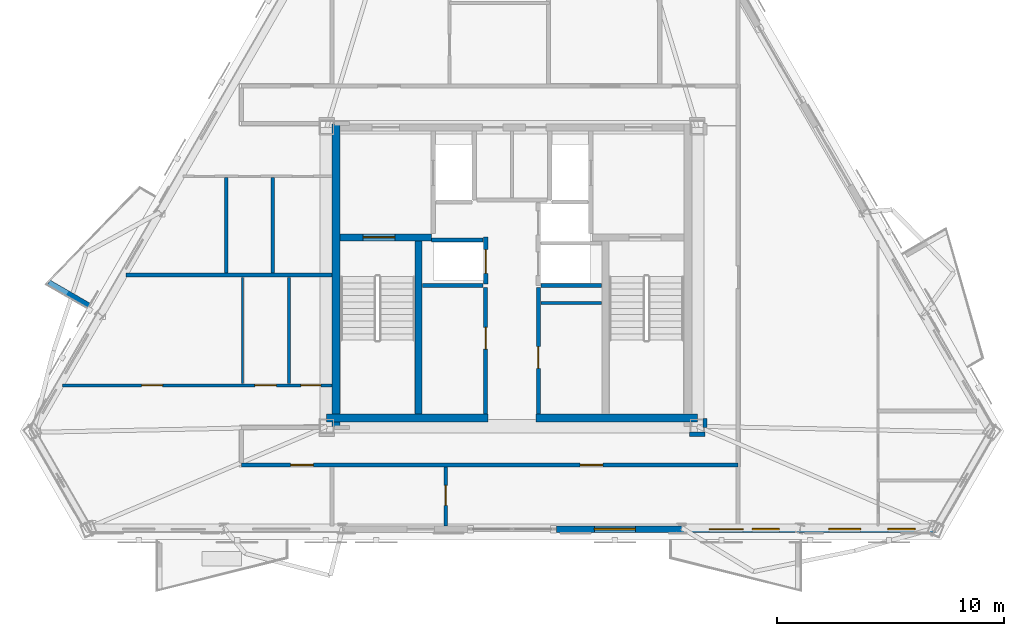
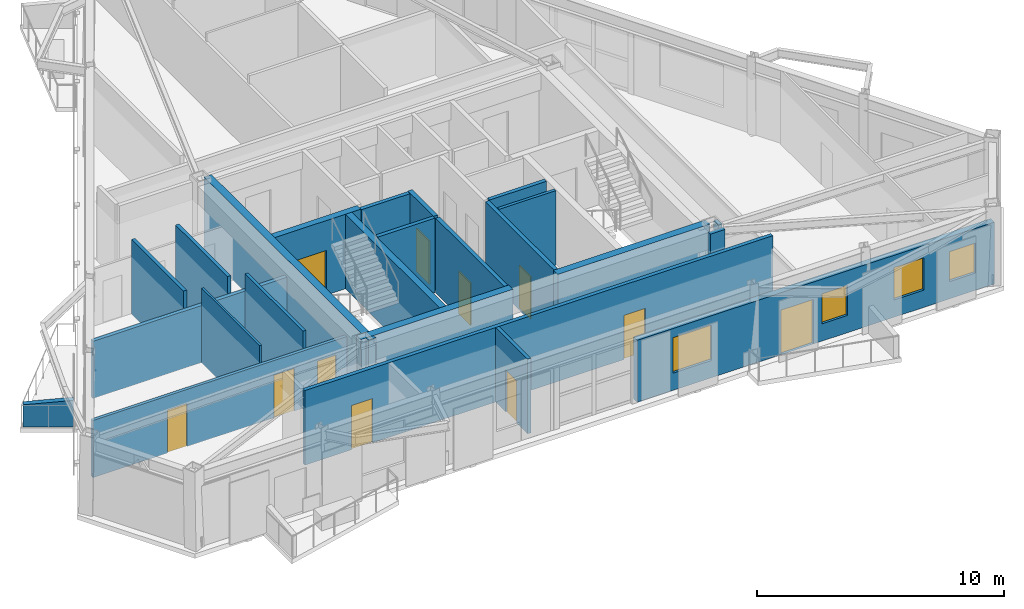
# One storey, part 8 of 15: 24 walls, 11 doors, 4 windows, 15 openings.
"""IFC4 building model written with IfcOpenShell, lengths in metres."""

from ifc_helpers import new_model, si_unit, direction, frame, frame_2d, origin, place, context, subcontext, project, spatial, polyline, rectangle, outline, extrude, material, layer, layer_set, type_object, element, fill, save


model = new_model("IFC4")

# Units and contexts
model_context = context("Model", 3, precision=1e-05, world=origin(), true_north=direction((0.0, 1.0)))
body_context = subcontext(model_context, "Body", "Model", "MODEL_VIEW")
ifc_project = project(units=[si_unit("LENGTHUNIT", "METRE"), si_unit("AREAUNIT", "SQUARE_METRE"), si_unit("VOLUMEUNIT", "CUBIC_METRE"), si_unit("PLANEANGLEUNIT", "RADIAN"), si_unit("MASSUNIT", "GRAM", prefix="KILO")], contexts=[model_context])

# Site, building, storey
site_placement = place(None, origin())
site = spatial("IfcSite", under=ifc_project, at=site_placement, CompositionType="ELEMENT")
building_placement = place(site_placement, origin())
building = spatial("IfcBuilding", under=site, at=building_placement, Name="Oramaril Tower", CompositionType="ELEMENT")
storey_placement = place(building_placement, frame((0.0, 0.0, 265.5)))
storey = spatial("IfcBuildingStorey", under=building, at=storey_placement, Name="L70", CompositionType="ELEMENT", Elevation=265.5)

# Wall, openings, door, windows
ifc_material_1 = material(Name="Warm Cream Limestone", Category="masonry")
ifc_layer_1 = layer(ifc_material_1, 0.2900390625)
ifc_layer_set_1 = layer_set([ifc_layer_1], Name="WT-EXT29")
wall_type_1 = type_object("IfcWallType", Name="WT-EXT29", PredefinedType="SOLIDWALL", material=ifc_layer_set_1)
wall_1_placement = place(storey_placement, frame((39.449951171875, 6.474853515625, 0.0), z_axis=(0.0, 0.0, 1.0), x_axis=(1.0, 0.0, 0.0)))
wall_1 = element("IfcWall", 1, at=wall_1_placement, inside=storey, type_object=wall_type_1, Name="L70 Tower Limestone Facade Wall 2R", PredefinedType="SOLIDWALL", context=body_context, shape_type="SweptSolid", body=[
    extrude(rectangle(XDim=16.674072265625, YDim=0.2900390625, at=frame_2d((8.3369140625, 0.0))), origin(), (0.0, 0.0, 1.0), 3.05810546875),
])
opening_1_placement = place(wall_1_placement, frame((6.7197265625, 0.0, 0.0)))
opening_1 = element("IfcOpeningElement", 2, at=opening_1_placement, cuts=wall_1, Name="Opening D-L70-BAL-S2", PredefinedType="OPENING", context=body_context, shape_type="SweptSolid", body=[
    extrude(rectangle(XDim=1.5, YDim=2.199951171875, at=frame_2d((0.75, 1.10009765625))), frame((0.0, 0.14501953125, 0.0), z_axis=(0.0, -1.0, 0.0), x_axis=(1.0, 0.0, 0.0)), (0.0, 0.0, 1.0), 0.2900390625),
])
opening_2_placement = place(wall_1_placement, frame((1.675537109375, 0.0, 0.85009765625)))
opening_2 = element("IfcOpeningElement", 3, at=opening_2_placement, cuts=wall_1, Name="Opening WN-06", PredefinedType="OPENING", context=body_context, shape_type="SweptSolid", body=[
    extrude(rectangle(XDim=1.800048828125, YDim=1.75, at=frame_2d((0.89990234375, 0.875))), frame((0.0, 0.14501953125, 0.0), z_axis=(0.0, -1.0, 0.0), x_axis=(1.0, 0.0, 0.0)), (0.0, 0.0, 1.0), 0.2900390625),
])
opening_3_placement = place(wall_1_placement, frame((8.61669921875, 0.0, 0.85009765625)))
opening_3 = element("IfcOpeningElement", 4, at=opening_3_placement, cuts=wall_1, Name="Opening WN-09", PredefinedType="OPENING", context=body_context, shape_type="SweptSolid", body=[
    extrude(rectangle(XDim=1.199951171875, YDim=1.47998046875, at=frame_2d((0.60009765625, 0.739990234375))), frame((0.0, 0.14501953125, 0.0), z_axis=(0.0, -1.0, 0.0), x_axis=(1.0, 0.0, 0.0)), (0.0, 0.0, 1.0), 0.2900390625),
])
opening_4_placement = place(wall_1_placement, frame((11.98388671875, 0.0, 0.85009765625)))
opening_4 = element("IfcOpeningElement", 5, at=opening_4_placement, cuts=wall_1, Name="Opening WN-08", PredefinedType="OPENING", context=body_context, shape_type="SweptSolid", body=[
    extrude(rectangle(XDim=1.39990234375, YDim=1.60009765625, at=frame_2d((0.699951171875, 0.800048828125))), frame((0.0, 0.14501953125, 0.0), z_axis=(0.0, -1.0, 0.0), x_axis=(1.0, 0.0, 0.0)), (0.0, 0.0, 1.0), 0.2900390625),
])
opening_5_placement = place(wall_1_placement, frame((14.57958984375, 0.0, 0.85009765625)))
opening_5 = element("IfcOpeningElement", 6, at=opening_5_placement, cuts=wall_1, Name="Opening WN-09", PredefinedType="OPENING", context=body_context, shape_type="SweptSolid", body=[
    extrude(rectangle(XDim=1.199951171875, YDim=1.47998046875, at=frame_2d((0.60009765625, 0.739990234375))), frame((0.0, 0.14501953125, 0.0), z_axis=(0.0, -1.0, 0.0), x_axis=(1.0, 0.0, 0.0)), (0.0, 0.0, 1.0), 0.2900390625),
])
ifc_material_2 = material(Name="Anodised Aluminium 6063-T6", Category="aluminium")
door_type_1 = type_object("IfcDoorType", Name="DT-BAL", OperationType="NOTDEFINED", PredefinedType="DOOR", material=ifc_material_2)
door_1_placement = place(opening_1_placement, origin())
door_1 = element("IfcDoor", 7, at=door_1_placement, inside=storey, type_object=door_type_1, Name="L70 Balcony Glazed Door L70-BAL-S2", OperationType="SINGLE_SWING_RIGHT", OverallHeight=2.199951171875, OverallWidth=1.5, PredefinedType="DOOR", context=body_context, shape_type="SweptSolid", body=[
    extrude(rectangle(XDim=1.5, YDim=2.199951171875, at=frame_2d((0.75, 1.10009765625))), frame((0.0, 0.02490234375, 0.0), z_axis=(0.0, -1.0, 0.0), x_axis=(1.0, 0.0, 0.0)), (0.0, 0.0, 1.0), 0.050048828125),
])
fill(opening_1, door_1)
ifc_material_3 = material(Name="Coastal Low-E Insulated Glass", Category="glass")
window_type_1 = type_object("IfcWindowType", Name="WNT-06", PartitioningType="SINGLE_PANEL", PredefinedType="WINDOW", material=ifc_material_3)
window_1_placement = place(opening_2_placement, origin())
window_1 = element("IfcWindow", 8, at=window_1_placement, inside=storey, type_object=window_type_1, Name="L70 Chicago Bay Window WN-06", OverallHeight=1.75, OverallWidth=1.800048828125, PartitioningType="SINGLE_PANEL", PredefinedType="WINDOW", context=body_context, shape_type="SweptSolid", body=[
    extrude(rectangle(XDim=1.800048828125, YDim=1.75, at=frame_2d((0.89990234375, 0.875))), frame((0.0, 0.030029296875, 0.0), z_axis=(0.0, -1.0, 0.0), x_axis=(1.0, 0.0, 0.0)), (0.0, 0.0, 1.0), 0.06005859375),
])
fill(opening_2, window_1)
ifc_material_4 = material(Name="Coastal Low-E Insulated Glass", Category="glass")
window_type_2 = type_object("IfcWindowType", Name="WNT-08", PartitioningType="SINGLE_PANEL", PredefinedType="WINDOW", material=ifc_material_4)
window_2_placement = place(opening_4_placement, origin())
window_2 = element("IfcWindow", 9, at=window_2_placement, inside=storey, type_object=window_type_2, Name="L70 Chicago Bay Window WN-08", OverallHeight=1.60009765625, OverallWidth=1.39990234375, PartitioningType="SINGLE_PANEL", PredefinedType="WINDOW", context=body_context, shape_type="SweptSolid", body=[
    extrude(rectangle(XDim=1.39990234375, YDim=1.60009765625, at=frame_2d((0.699951171875, 0.800048828125))), frame((0.0, 0.030029296875, 0.0), z_axis=(0.0, -1.0, 0.0), x_axis=(1.0, 0.0, 0.0)), (0.0, 0.0, 1.0), 0.06005859375),
])
fill(opening_4, window_2)
ifc_material_5 = material(Name="Coastal Low-E Insulated Glass", Category="glass")
window_type_3 = type_object("IfcWindowType", Name="WNT-09", PartitioningType="SINGLE_PANEL", PredefinedType="WINDOW", material=ifc_material_5)
window_3_placement = place(opening_3_placement, origin())
window_3 = element("IfcWindow", 10, at=window_3_placement, inside=storey, type_object=window_type_3, Name="L70 Chicago Bay Window WN-09", OverallHeight=1.47998046875, OverallWidth=1.199951171875, PartitioningType="SINGLE_PANEL", PredefinedType="WINDOW", context=body_context, shape_type="SweptSolid", body=[
    extrude(rectangle(XDim=1.199951171875, YDim=1.47998046875, at=frame_2d((0.60009765625, 0.739990234375))), frame((0.0, 0.030029296875, 0.0), z_axis=(0.0, -1.0, 0.0), x_axis=(1.0, 0.0, 0.0)), (0.0, 0.0, 1.0), 0.06005859375),
])
fill(opening_3, window_3)
window_4_placement = place(opening_5_placement, origin())
window_4 = element("IfcWindow", 11, at=window_4_placement, inside=storey, type_object=window_type_3, Name="L70 Chicago Bay Window WN-09", OverallHeight=1.47998046875, OverallWidth=1.199951171875, PartitioningType="SINGLE_PANEL", PredefinedType="WINDOW", context=body_context, shape_type="SweptSolid", body=[
    extrude(rectangle(XDim=1.199951171875, YDim=1.47998046875, at=frame_2d((0.60009765625, 0.739990234375))), frame((0.0, 0.030029296875, 0.0), z_axis=(0.0, -1.0, 0.0), x_axis=(1.0, 0.0, 0.0)), (0.0, 0.0, 1.0), 0.06005859375),
])
fill(opening_5, window_4)

# Walls
ifc_material_6 = material(Name="Concrete C40/50", Category="concrete")
ifc_layer_2 = layer(ifc_material_6, 0.22998046875)
ifc_layer_set_2 = layer_set([ifc_layer_2], Name="WT-PRP23")
wall_type_2 = type_object("IfcWallType", Name="WT-PRP23", PredefinedType="PARAPET", material=ifc_layer_set_2)
wall_2_placement = place(storey_placement, frame((18.889892578125, 16.31298828125, 0.0), z_axis=(0.0, 0.0, 1.0), x_axis=(-0.866012356593, 0.500022597718, 0.0)))
element("IfcWall", 12, at=wall_2_placement, inside=storey, type_object=wall_type_2, Name="L70 Trapezoidal Balcony Frame Cheek L70-BAL-NW2-R", PredefinedType="PARAPET", context=body_context, shape_type="SweptSolid", body=[
    extrude(outline(polyline([(0.0, 0.0), (2.0419921875, 0.0), (2.0419921875, 1.10009765625), (0.0, 1.320068359375), (0.0, 0.0)])), frame((0.0, 0.114990234375, 0.0), z_axis=(0.0, -1.0, 0.0), x_axis=(1.0, 0.0, 0.0)), (0.0, 0.0, 1.0), 0.22998046875),
])
ifc_material_7 = material(Name="Acoustic Gypsum Board Partition")
ifc_layer_3 = layer(ifc_material_7, 0.10009765625)
ifc_layer_set_3 = layer_set([ifc_layer_3], Name="WT-PT10")
wall_type_3 = type_object("IfcWallType", Name="WT-PT10", PredefinedType="PARTITIONING", material=ifc_layer_set_3)
wall_3_placement = place(storey_placement, frame((25.639892578125, 12.8740234375, 0.0), z_axis=(0.0, 0.0, 1.0), x_axis=(0.0, 1.0, 0.0)))
element("IfcWall", 13, at=wall_3_placement, inside=storey, type_object=wall_type_3, Name="L70 Interior Partition PT-10", PredefinedType="PARTITIONING", context=body_context, shape_type="SweptSolid", body=[
    extrude(rectangle(XDim=4.681884765625, YDim=0.10009765625, at=frame_2d((2.3408203125, 0.0))), origin(), (0.0, 0.0, 1.0), 3.679931640625),
])
ifc_material_8 = material(Name="Acoustic Gypsum Board Partition")
ifc_layer_4 = layer(ifc_material_8, 0.139892578125)
ifc_layer_set_4 = layer_set([ifc_layer_4], Name="WT-PT14")
wall_type_4 = type_object("IfcWallType", Name="WT-PT14", PredefinedType="PARTITIONING", material=ifc_layer_set_4)
wall_4_placement = place(storey_placement, frame((38.780029296875, 16.419921875, 0.0), z_axis=(0.0, 0.0, 1.0), x_axis=(1.0, 0.0, 0.0)))
element("IfcWall", 14, at=wall_4_placement, inside=storey, type_object=wall_type_4, Name="L70 Freed Shaft North Closure", PredefinedType="PARTITIONING", context=body_context, shape_type="SweptSolid", body=[
    extrude(rectangle(XDim=2.659912109375, YDim=0.139892578125, at=frame_2d((1.330078125, 0.0))), origin(), (0.0, 0.0, 1.0), 3.679931640625),
])

# Wall, openings, doors
wall_5_placement = place(storey_placement, frame((17.724365234375, 12.800048828125, 0.0), z_axis=(0.0, 0.0, 1.0), x_axis=(1.0, 0.0, 0.0)))
wall_5 = element("IfcWall", 15, at=wall_5_placement, inside=storey, type_object=wall_type_4, Name="L70 Interior Partition PT-14", PredefinedType="PARTITIONING", context=body_context, shape_type="SweptSolid", body=[
    extrude(rectangle(XDim=11.861572265625, YDim=0.139892578125, at=frame_2d((5.9306640625, 0.0))), origin(), (0.0, 0.0, 1.0), 2.820068359375),
])
opening_6_placement = place(wall_5_placement, frame((3.483154296875, 0.0, 0.0)))
opening_6 = element("IfcOpeningElement", 16, at=opening_6_placement, cuts=wall_5, Name="Opening D-L70-03", PredefinedType="OPENING", context=body_context, shape_type="SweptSolid", body=[
    extrude(rectangle(XDim=0.919921875, YDim=2.1201171875, at=frame_2d((0.4599609375, 1.06005859375))), frame((0.0, 0.06982421875, 0.0), z_axis=(0.0, -1.0, 0.0), x_axis=(1.0, 0.0, 0.0)), (0.0, 0.0, 1.0), 0.139892578125),
])
opening_7_placement = place(wall_5_placement, frame((8.465576171875, 0.0, 0.0)))
opening_7 = element("IfcOpeningElement", 17, at=opening_7_placement, cuts=wall_5, Name="Opening D-L70-04", PredefinedType="OPENING", context=body_context, shape_type="SweptSolid", body=[
    extrude(rectangle(XDim=0.949951171875, YDim=2.10009765625, at=frame_2d((0.47509765625, 1.050048828125))), frame((0.0, 0.06982421875, 0.0), z_axis=(0.0, -1.0, 0.0), x_axis=(1.0, 0.0, 0.0)), (0.0, 0.0, 1.0), 0.139892578125),
])
opening_8_placement = place(wall_5_placement, frame((10.485595703125, 0.0, 0.0)))
opening_8 = element("IfcOpeningElement", 18, at=opening_8_placement, cuts=wall_5, Name="Opening D-L70-05", PredefinedType="OPENING", context=body_context, shape_type="SweptSolid", body=[
    extrude(rectangle(XDim=0.8798828125, YDim=2.080078125, at=frame_2d((0.43994140625, 1.0400390625))), frame((0.0, 0.06982421875, 0.0), z_axis=(0.0, -1.0, 0.0), x_axis=(1.0, 0.0, 0.0)), (0.0, 0.0, 1.0), 0.139892578125),
])
ifc_material_9 = material(Name="FSC Brazilian Freijo Hardwood", Category="wood")
door_type_2 = type_object("IfcDoorType", Name="DT-BATH", OperationType="NOTDEFINED", PredefinedType="DOOR", material=ifc_material_9)
door_2_placement = place(opening_8_placement, origin())
door_2 = element("IfcDoor", 19, at=door_2_placement, inside=storey, type_object=door_type_2, Name="L70 Flat L70-U2 Bathroom Door D-L70-05", OperationType="SINGLE_SWING_RIGHT", OverallHeight=2.080078125, OverallWidth=0.8798828125, PredefinedType="DOOR", context=body_context, shape_type="SweptSolid", body=[
    extrude(rectangle(XDim=0.8798828125, YDim=2.080078125, at=frame_2d((0.43994140625, 1.0400390625))), frame((0.0, 0.02490234375, 0.0), z_axis=(0.0, -1.0, 0.0), x_axis=(1.0, 0.0, 0.0)), (0.0, 0.0, 1.0), 0.050048828125),
])
fill(opening_8, door_2)
ifc_material_10 = material(Name="FSC Brazilian Freijo Hardwood", Category="wood")
door_type_3 = type_object("IfcDoorType", Name="DT-BED", OperationType="NOTDEFINED", PredefinedType="DOOR", material=ifc_material_10)
door_3_placement = place(opening_6_placement, origin())
door_3 = element("IfcDoor", 20, at=door_3_placement, inside=storey, type_object=door_type_3, Name="L70 Flat L70-U2 Master Bedroom Door D-L70-03", OperationType="SINGLE_SWING_RIGHT", OverallHeight=2.1201171875, OverallWidth=0.919921875, PredefinedType="DOOR", context=body_context, shape_type="SweptSolid", body=[
    extrude(rectangle(XDim=0.919921875, YDim=2.1201171875, at=frame_2d((0.4599609375, 1.06005859375))), frame((0.0, 0.02490234375, 0.0), z_axis=(0.0, -1.0, 0.0), x_axis=(1.0, 0.0, 0.0)), (0.0, 0.0, 1.0), 0.050048828125),
])
fill(opening_6, door_3)
ifc_material_11 = material(Name="FSC Brazilian Freijo Hardwood", Category="wood")
door_type_4 = type_object("IfcDoorType", Name="DT-STDY", OperationType="NOTDEFINED", PredefinedType="DOOR", material=ifc_material_11)
door_4_placement = place(opening_7_placement, origin())
door_4 = element("IfcDoor", 21, at=door_4_placement, inside=storey, type_object=door_type_4, Name="L70 Flat L70-U2 Kitchen Door D-L70-04", OperationType="SINGLE_SWING_LEFT", OverallHeight=2.10009765625, OverallWidth=0.949951171875, PredefinedType="DOOR", context=body_context, shape_type="SweptSolid", body=[
    extrude(rectangle(XDim=0.949951171875, YDim=2.10009765625, at=frame_2d((0.47509765625, 1.050048828125))), frame((0.0, 0.02490234375, 0.0), z_axis=(0.0, -1.0, 0.0), x_axis=(1.0, 0.0, 0.0)), (0.0, 0.0, 1.0), 0.050048828125),
])
fill(opening_7, door_4)

# Walls
wall_6_placement = place(storey_placement, frame((27.68994140625, 12.8740234375, 0.0), z_axis=(0.0, 0.0, 1.0), x_axis=(0.0, 1.0, 0.0)))
element("IfcWall", 22, at=wall_6_placement, inside=storey, type_object=wall_type_4, Name="L70 Interior Partition PT-14", PredefinedType="PARTITIONING", context=body_context, shape_type="SweptSolid", body=[
    extrude(rectangle(XDim=4.681884765625, YDim=0.139892578125, at=frame_2d((2.3408203125, 0.0))), origin(), (0.0, 0.0, 1.0), 3.679931640625),
])
ifc_material_12 = material(Name="Acoustic Gypsum Board Partition")
ifc_layer_5 = layer(ifc_material_12, 0.159912109375)
ifc_layer_set_5 = layer_set([ifc_layer_5], Name="WT-PT16")
wall_type_5 = type_object("IfcWallType", Name="WT-PT16", PredefinedType="PARTITIONING", material=ifc_layer_set_5)
for number, where, z_axis, x_axis, name in (
    (23, (24.929931640625, 17.743896484375, 0.0), (0.0, 0.0, 1.0), (0.0, 1.0, 0.0), "L70 Interior Partition PT-16"),
    (24, (26.97998046875, 17.743896484375, 0.0), (0.0, 0.0, 1.0), (0.0, 1.0, 0.0), "L70 Interior Partition PT-16"),
):
    element("IfcWall", number, at=place(storey_placement, frame(where, z_axis=z_axis, x_axis=x_axis)), inside=storey, type_object=wall_type_5, Name=name, PredefinedType="PARTITIONING", context=body_context, shape_type="SweptSolid", body=[
        extrude(rectangle(XDim=4.2021484375, YDim=0.159912109375, at=frame_2d((2.10107421875, 0.0))), origin(), (0.0, 0.0, 1.0), 3.679931640625),
    ])

# Wall, opening, door
wall_7_placement = place(storey_placement, frame((34.580078125, 6.623779296875, 0.0), z_axis=(0.0, 0.0, 1.0), x_axis=(0.0, 1.0, 0.0)))
wall_7 = element("IfcWall", 25, at=wall_7_placement, inside=storey, type_object=wall_type_5, Name="L70 Interior Partition PT-16", PredefinedType="PARTITIONING", context=body_context, shape_type="SweptSolid", body=[
    extrude(rectangle(XDim=2.582275390625, YDim=0.159912109375, at=frame_2d((1.291015625, 0.0))), origin(), (0.0, 0.0, 1.0), 3.679931640625),
])
opening_9_placement = place(wall_7_placement, frame((0.898681640625, 0.0, 0.0)))
opening_9 = element("IfcOpeningElement", 26, at=opening_9_placement, cuts=wall_7, Name="Opening D-L70-14", PredefinedType="OPENING", context=body_context, shape_type="SweptSolid", body=[
    extrude(rectangle(XDim=0.8798828125, YDim=2.080078125, at=frame_2d((0.43994140625, 1.0400390625))), frame((0.0, 0.080078125, 0.0), z_axis=(0.0, -1.0, 0.0), x_axis=(1.0, 0.0, 0.0)), (0.0, 0.0, 1.0), 0.159912109375),
])
door_5_placement = place(opening_9_placement, origin())
door_5 = element("IfcDoor", 27, at=door_5_placement, inside=storey, type_object=door_type_2, Name="L70 Flat L70-U1 Bathroom Door D-L70-14", OperationType="SINGLE_SWING_LEFT", OverallHeight=2.080078125, OverallWidth=0.8798828125, PredefinedType="DOOR", context=body_context, shape_type="SweptSolid", body=[
    extrude(rectangle(XDim=0.8798828125, YDim=2.080078125, at=frame_2d((0.43994140625, 1.0400390625))), frame((0.0, 0.02490234375, 0.0), z_axis=(0.0, -1.0, 0.0), x_axis=(1.0, 0.0, 0.0)), (0.0, 0.0, 1.0), 0.050048828125),
])
fill(opening_9, door_5)

# Walls
ifc_material_13 = material(Name="Autoclaved Cellular Concrete Block", Category="concrete")
ifc_layer_6 = layer(ifc_material_13, 0.179931640625)
ifc_layer_set_6 = layer_set([ifc_layer_6], Name="WT-PT18")
wall_type_6 = type_object("IfcWallType", Name="WT-PT18", PredefinedType="PARTITIONING", material=ifc_layer_set_6)
wall_8_placement = place(storey_placement, frame((33.949951171875, 19.199951171875, 0.0), z_axis=(0.0, 0.0, 1.0), x_axis=(1.0, 0.0, 0.0)))
element("IfcWall", 28, at=wall_8_placement, inside=storey, type_object=wall_type_6, Name="L70 High-Rise Lift H1 North Shaft Wall", PredefinedType="PARTITIONING", context=body_context, shape_type="SweptSolid", body=[
    extrude(rectangle(XDim=2.27001953125, YDim=0.179931640625, at=frame_2d((1.135009765625, 0.0))), origin(), (0.0, 0.0, 1.0), 3.679931640625),
])
wall_9_placement = place(storey_placement, frame((33.56005859375, 17.199951171875, 0.0), z_axis=(0.0, 0.0, 1.0), x_axis=(1.0, 0.0, 0.0)))
element("IfcWall", 29, at=wall_9_placement, inside=storey, type_object=wall_type_6, Name="L70 High-Rise Lift H1 South Wall", PredefinedType="PARTITIONING", context=body_context, shape_type="SweptSolid", body=[
    extrude(rectangle(XDim=2.659912109375, YDim=0.179931640625, at=frame_2d((1.330078125, 0.0))), origin(), (0.0, 0.0, 1.0), 3.679931640625),
])

# Wall, opening, door
wall_10_placement = place(storey_placement, frame((36.340087890625, 11.550048828125, 0.0), z_axis=(0.0, 0.0, 1.0), x_axis=(0.0, 1.0, 0.0)))
wall_10 = element("IfcWall", 30, at=wall_10_placement, inside=storey, type_object=wall_type_6, Name="L70 Freed Shaft Study East Wall", PredefinedType="PARTITIONING", context=body_context, shape_type="SweptSolid", body=[
    extrude(rectangle(XDim=5.550048828125, YDim=0.179931640625, at=frame_2d((2.77490234375, 0.0))), origin(), (0.0, 0.0, 1.0), 3.679931640625),
])
opening_10_placement = place(wall_10_placement, frame((2.85009765625, 0.0, 0.0)))
opening_10 = element("IfcOpeningElement", 31, at=opening_10_placement, cuts=wall_10, Name="Opening D-L70-FL1", PredefinedType="OPENING", context=body_context, shape_type="SweptSolid", body=[
    extrude(rectangle(XDim=0.949951171875, YDim=2.10009765625, at=frame_2d((0.47509765625, 1.050048828125))), frame((0.0, 0.08984375, 0.0), z_axis=(0.0, -1.0, 0.0), x_axis=(1.0, 0.0, 0.0)), (0.0, 0.0, 1.0), 0.179931640625),
])
door_6_placement = place(opening_10_placement, origin())
door_6 = element("IfcDoor", 32, at=door_6_placement, inside=storey, type_object=door_type_4, Name="L70 L70 Residents Study Alcove Door", OperationType="SINGLE_SWING_LEFT", OverallHeight=2.10009765625, OverallWidth=0.949951171875, PredefinedType="DOOR", context=body_context, shape_type="SweptSolid", body=[
    extrude(rectangle(XDim=0.949951171875, YDim=2.10009765625, at=frame_2d((0.47509765625, 1.050048828125))), frame((0.0, 0.02490234375, 0.0), z_axis=(0.0, -1.0, 0.0), x_axis=(1.0, 0.0, 0.0)), (0.0, 0.0, 1.0), 0.050048828125),
])
fill(opening_10, door_6)

# Wall
wall_11_placement = place(storey_placement, frame((38.780029296875, 17.199951171875, 0.0), z_axis=(0.0, 0.0, 1.0), x_axis=(1.0, 0.0, 0.0)))
element("IfcWall", 33, at=wall_11_placement, inside=storey, type_object=wall_type_6, Name="L70 High-Rise Lift H2 South Wall", PredefinedType="PARTITIONING", context=body_context, shape_type="SweptSolid", body=[
    extrude(rectangle(XDim=2.659912109375, YDim=0.179931640625, at=frame_2d((1.330078125, 0.0))), origin(), (0.0, 0.0, 1.0), 3.679931640625),
])

# Wall, opening, door
wall_12_placement = place(storey_placement, frame((38.659912109375, 11.550048828125, 0.0), z_axis=(0.0, 0.0, 1.0), x_axis=(0.0, 1.0, 0.0)))
wall_12 = element("IfcWall", 34, at=wall_12_placement, inside=storey, type_object=wall_type_6, Name="L70 Freed Shaft Alcove West Wall", PredefinedType="PARTITIONING", context=body_context, shape_type="SweptSolid", body=[
    extrude(rectangle(XDim=5.550048828125, YDim=0.179931640625, at=frame_2d((2.77490234375, 0.0))), origin(), (0.0, 0.0, 1.0), 3.679931640625),
])
opening_11_placement = place(wall_12_placement, frame((2.0, 0.0, 0.0)))
opening_11 = element("IfcOpeningElement", 35, at=opening_11_placement, cuts=wall_12, Name="Opening D-L70-FM1", PredefinedType="OPENING", context=body_context, shape_type="SweptSolid", body=[
    extrude(rectangle(XDim=0.949951171875, YDim=2.10009765625, at=frame_2d((0.47509765625, 1.050048828125))), frame((0.0, 0.08984375, 0.0), z_axis=(0.0, -1.0, 0.0), x_axis=(1.0, 0.0, 0.0)), (0.0, 0.0, 1.0), 0.179931640625),
])
door_7_placement = place(opening_11_placement, origin())
door_7 = element("IfcDoor", 36, at=door_7_placement, inside=storey, type_object=door_type_4, Name="L70 L70 Sky Reading Room Door", OperationType="SINGLE_SWING_RIGHT", OverallHeight=2.10009765625, OverallWidth=0.949951171875, PredefinedType="DOOR", context=body_context, shape_type="SweptSolid", body=[
    extrude(rectangle(XDim=0.949951171875, YDim=2.10009765625, at=frame_2d((0.47509765625, 1.050048828125))), frame((0.0, 0.02490234375, 0.0), z_axis=(0.0, -1.0, 0.0), x_axis=(1.0, 0.0, 0.0)), (0.0, 0.0, 1.0), 0.050048828125),
])
fill(opening_11, door_7)

# Wall, openings, doors
wall_13_placement = place(storey_placement, frame((25.60009765625, 9.300048828125, 0.0), z_axis=(0.0, 0.0, 1.0), x_axis=(1.0, 0.0, 0.0)))
wall_13 = element("IfcWall", 37, at=wall_13_placement, inside=storey, type_object=wall_type_6, Name="L70 Interior Partition PT-18", PredefinedType="PARTITIONING", context=body_context, shape_type="SweptSolid", body=[
    extrude(rectangle(XDim=21.849853515625, YDim=0.179931640625, at=frame_2d((10.9248046875, 0.0))), origin(), (0.0, 0.0, 1.0), 3.679931640625),
])
opening_12_placement = place(wall_13_placement, frame((2.160400390625, 0.0, 0.0)))
opening_12 = element("IfcOpeningElement", 38, at=opening_12_placement, cuts=wall_13, Name="Opening D-L70-01", PredefinedType="OPENING", context=body_context, shape_type="SweptSolid", body=[
    extrude(rectangle(XDim=1.0, YDim=2.179931640625, at=frame_2d((0.5, 1.08984375))), frame((0.0, 0.08984375, 0.0), z_axis=(0.0, -1.0, 0.0), x_axis=(1.0, 0.0, 0.0)), (0.0, 0.0, 1.0), 0.179931640625),
])
opening_13_placement = place(wall_13_placement, frame((14.895751953125, 0.0, 0.0)))
opening_13 = element("IfcOpeningElement", 39, at=opening_13_placement, cuts=wall_13, Name="Opening D-L70-02", PredefinedType="OPENING", context=body_context, shape_type="SweptSolid", body=[
    extrude(rectangle(XDim=1.0, YDim=2.179931640625, at=frame_2d((0.5, 1.08984375))), frame((0.0, 0.08984375, 0.0), z_axis=(0.0, -1.0, 0.0), x_axis=(1.0, 0.0, 0.0)), (0.0, 0.0, 1.0), 0.179931640625),
])
ifc_material_14 = material(Name="FSC Brazilian Freijo Hardwood", Category="wood")
door_type_5 = type_object("IfcDoorType", Name="DT-APT", OperationType="NOTDEFINED", PredefinedType="DOOR", material=ifc_material_14)
door_8_placement = place(opening_12_placement, origin())
door_8 = element("IfcDoor", 40, at=door_8_placement, inside=storey, type_object=door_type_5, Name="L70 Flat L70-U2 Penthouse Living and Dining Room Door D-L70-01", OperationType="SINGLE_SWING_RIGHT", OverallHeight=2.179931640625, OverallWidth=1.0, PredefinedType="DOOR", context=body_context, shape_type="SweptSolid", body=[
    extrude(rectangle(XDim=1.0, YDim=2.179931640625, at=frame_2d((0.5, 1.08984375))), frame((0.0, 0.02490234375, 0.0), z_axis=(0.0, -1.0, 0.0), x_axis=(1.0, 0.0, 0.0)), (0.0, 0.0, 1.0), 0.050048828125),
])
fill(opening_12, door_8)
door_9_placement = place(opening_13_placement, origin())
door_9 = element("IfcDoor", 41, at=door_9_placement, inside=storey, type_object=door_type_5, Name="L70 Flat L70-U1 Kitchen and Studio Apartment Door D-L70-02", OperationType="SINGLE_SWING_LEFT", OverallHeight=2.179931640625, OverallWidth=1.0, PredefinedType="DOOR", context=body_context, shape_type="SweptSolid", body=[
    extrude(rectangle(XDim=1.0, YDim=2.179931640625, at=frame_2d((0.5, 1.08984375))), frame((0.0, 0.02490234375, 0.0), z_axis=(0.0, -1.0, 0.0), x_axis=(1.0, 0.0, 0.0)), (0.0, 0.0, 1.0), 0.050048828125),
])
fill(opening_13, door_9)

# Walls
wall_14_placement = place(storey_placement, frame((45.304931640625, 10.64990234375, 0.0), z_axis=(0.0, 0.0, 1.0), x_axis=(1.0, 0.0, 0.0)))
element("IfcWall", 42, at=wall_14_placement, inside=storey, type_object=wall_type_6, Name="L70 Interior Partition PT-18", PredefinedType="PARTITIONING", context=body_context, shape_type="SweptSolid", body=[
    extrude(rectangle(XDim=0.690185546875, YDim=0.179931640625, at=frame_2d((0.34521484375, 0.0))), origin(), (0.0, 0.0, 1.0), 3.679931640625),
])
wall_15_placement = place(storey_placement, frame((20.524658203125, 17.64990234375, 0.0), z_axis=(0.0, 0.0, 1.0), x_axis=(1.0, 0.0, 0.0)))
element("IfcWall", 43, at=wall_15_placement, inside=storey, type_object=wall_type_6, Name="L70 Interior Partition PT-18", PredefinedType="PARTITIONING", context=body_context, shape_type="SweptSolid", body=[
    extrude(rectangle(XDim=9.061279296875, YDim=0.179931640625, at=frame_2d((4.53076171875, 0.0))), origin(), (0.0, 0.0, 1.0), 2.820068359375),
])
wall_16_placement = place(storey_placement, frame((45.989990234375, 10.949951171875, 0.0), z_axis=(0.0, 0.0, 1.0), x_axis=(0.0, 1.0, 0.0)))
element("IfcWall", 44, at=wall_16_placement, inside=storey, type_object=wall_type_6, Name="L70 Interior Partition PT-18", PredefinedType="PARTITIONING", context=body_context, shape_type="SweptSolid", body=[
    extrude(rectangle(XDim=0.39013671875, YDim=0.179931640625, at=frame_2d((0.195068359375, 0.0))), origin(), (0.0, 0.0, 1.0), 3.679931640625),
])

# Wall, opening, door
ifc_material_15 = material(Name="Concrete C50/60", Category="concrete")
ifc_layer_7 = layer(ifc_material_15, 0.300048828125)
ifc_layer_set_7 = layer_set([ifc_layer_7], Name="WT-SH30")
wall_type_7 = type_object("IfcWallType", Name="WT-SH30", PredefinedType="SHEAR", material=ifc_layer_set_7)
wall_17_placement = place(storey_placement, frame((29.93994140625, 19.31005859375, 0.0), z_axis=(0.0, 0.0, 1.0), x_axis=(1.0, 0.0, 0.0)))
wall_17 = element("IfcWall", 45, at=wall_17_placement, inside=storey, type_object=wall_type_7, Name="L70 Core Shear Wall CW-ST1N", PredefinedType="SHEAR", context=body_context, shape_type="SweptSolid", body=[
    extrude(rectangle(XDim=4.010009765625, YDim=0.300048828125, at=frame_2d((2.0048828125, 0.0))), origin(), (0.0, 0.0, 1.0), 3.679931640625),
])
opening_14_placement = place(wall_17_placement, frame((1.010009765625, 0.0, 0.0)))
opening_14 = element("IfcOpeningElement", 46, at=opening_14_placement, cuts=wall_17, Name="Opening D-L70-ST1", PredefinedType="OPENING", context=body_context, shape_type="SweptSolid", body=[
    extrude(rectangle(XDim=1.39990234375, YDim=2.199951171875, at=frame_2d((0.699951171875, 1.10009765625))), frame((0.0, 0.14990234375, 0.0), z_axis=(0.0, -1.0, 0.0), x_axis=(1.0, 0.0, 0.0)), (0.0, 0.0, 1.0), 0.300048828125),
])
ifc_material_16 = material(Name="Painted Galvanised Steel", Category="steel")
door_type_6 = type_object("IfcDoorType", Name="DT-ST", OperationType="NOTDEFINED", PredefinedType="DOOR", material=ifc_material_16)
door_10_placement = place(opening_14_placement, origin())
door_10 = element("IfcDoor", 47, at=door_10_placement, inside=storey, type_object=door_type_6, Name="L70 Protected Stair ST-1 Fire Door", OperationType="SINGLE_SWING_LEFT", OverallHeight=2.199951171875, OverallWidth=1.39990234375, PredefinedType="DOOR", context=body_context, shape_type="SweptSolid", body=[
    extrude(rectangle(XDim=1.39990234375, YDim=2.199951171875, at=frame_2d((0.699951171875, 1.10009765625))), frame((0.0, 0.02490234375, 0.0), z_axis=(0.0, -1.0, 0.0), x_axis=(1.0, 0.0, 0.0)), (0.0, 0.0, 1.0), 0.050048828125),
])
fill(opening_14, door_10)

# Walls
wall_18_placement = place(storey_placement, frame((33.3798828125, 11.5400390625, 0.0), z_axis=(0.0, 0.0, 1.0), x_axis=(0.0, 1.0, 0.0)))
element("IfcWall", 48, at=wall_18_placement, inside=storey, type_object=wall_type_7, Name="L70 Core Shear Wall CW-ST1E", PredefinedType="SHEAR", context=body_context, shape_type="SweptSolid", body=[
    extrude(rectangle(XDim=7.619873046875, YDim=0.300048828125, at=frame_2d((3.81005859375, 0.0))), origin(), (0.0, 0.0, 1.0), 3.679931640625),
])
ifc_material_17 = material(Name="Concrete C50/60", Category="concrete")
ifc_layer_8 = layer(ifc_material_17, 0.35009765625)
ifc_layer_set_8 = layer_set([ifc_layer_8], Name="WT-SH35")
wall_type_8 = type_object("IfcWallType", Name="WT-SH35", PredefinedType="SHEAR", material=ifc_layer_set_8)
wall_19_placement = place(storey_placement, frame((29.764892578125, 11.0, 0.0), z_axis=(0.0, 0.0, 1.0), x_axis=(0.0, 1.0, 0.0)))
element("IfcWall", 49, at=wall_19_placement, inside=storey, type_object=wall_type_8, Name="L70 Core Shear Wall CW-W", PredefinedType="SHEAR", context=body_context, shape_type="SweptSolid", body=[
    extrude(rectangle(XDim=13.300048828125, YDim=0.35009765625, at=frame_2d((6.64990234375, 0.0))), origin(), (0.0, 0.0, 1.0), 3.679931640625),
])
for number, where, z_axis, x_axis, name in (
    (50, (29.35009765625, 11.364990234375, 0.0), (0.0, 0.0, 1.0), (1.0, 0.0, 0.0), "L70 Core Shear Wall CW-SW"),
    (51, (38.550048828125, 11.364990234375, 0.0), (0.0, 0.0, 1.0), (1.0, 0.0, 0.0), "L70 Core Shear Wall CW-SE"),
):
    element("IfcWall", number, at=place(storey_placement, frame(where, z_axis=z_axis, x_axis=x_axis)), inside=storey, type_object=wall_type_8, Name=name, PredefinedType="SHEAR", context=body_context, shape_type="SweptSolid", body=[
        extrude(rectangle(XDim=7.099853515625, YDim=0.35009765625, at=frame_2d((3.5498046875, 0.0))), origin(), (0.0, 0.0, 1.0), 3.679931640625),
    ])

# Wall, opening, door
ifc_material_18 = material(Name="Autoclaved Cellular Concrete Block", Category="concrete")
ifc_layer_9 = layer(ifc_material_18, 0.199951171875)
ifc_layer_set_9 = layer_set([ifc_layer_9], Name="WT-SHF20")
wall_type_9 = type_object("IfcWallType", Name="WT-SHF20", PredefinedType="PARTITIONING", material=ifc_layer_set_9)
wall_20_placement = place(storey_placement, frame((36.340087890625, 17.25, 0.0), z_axis=(0.0, 0.0, 1.0), x_axis=(0.0, 1.0, 0.0)))
wall_20 = element("IfcWall", 52, at=wall_20_placement, inside=storey, type_object=wall_type_9, Name="L70 High-Rise Lift H1 Front Wall", PredefinedType="PARTITIONING", context=body_context, shape_type="SweptSolid", body=[
    extrude(rectangle(XDim=2.070068359375, YDim=0.199951171875, at=frame_2d((1.03515625, 0.0))), origin(), (0.0, 0.0, 1.0), 3.679931640625),
])
opening_15_placement = place(wall_20_placement, frame((0.47509765625, 0.0, 0.0)))
opening_15 = element("IfcOpeningElement", 53, at=opening_15_placement, cuts=wall_20, Name="Opening LD-L70-LP-H1", PredefinedType="OPENING", context=body_context, shape_type="SweptSolid", body=[
    extrude(rectangle(XDim=1.050048828125, YDim=2.14990234375, at=frame_2d((0.52490234375, 1.074951171875))), frame((0.0, 0.10009765625, 0.0), z_axis=(0.0, -1.0, 0.0), x_axis=(1.0, 0.0, 0.0)), (0.0, 0.0, 1.0), 0.199951171875),
])
ifc_material_19 = material(Name="Stainless Steel 316L", Category="steel")
door_type_7 = type_object("IfcDoorType", Name="DT-LD2", OperationType="NOTDEFINED", PredefinedType="DOOR", material=ifc_material_19)
door_11_placement = place(opening_15_placement, origin())
door_11 = element("IfcDoor", 54, at=door_11_placement, inside=storey, type_object=door_type_7, Name="L70 Lift LP-H1 Sliding Landing Door", OperationType="SLIDING_TO_LEFT", OverallHeight=2.14990234375, OverallWidth=1.050048828125, PredefinedType="DOOR", context=body_context, shape_type="SweptSolid", body=[
    extrude(rectangle(XDim=1.050048828125, YDim=2.14990234375, at=frame_2d((0.52490234375, 1.074951171875))), frame((0.0, 0.02490234375, 0.0), z_axis=(0.0, -1.0, 0.0), x_axis=(1.0, 0.0, 0.0)), (0.0, 0.0, 1.0), 0.050048828125),
])
fill(opening_15, door_11)

save(model, "model.ifc")
